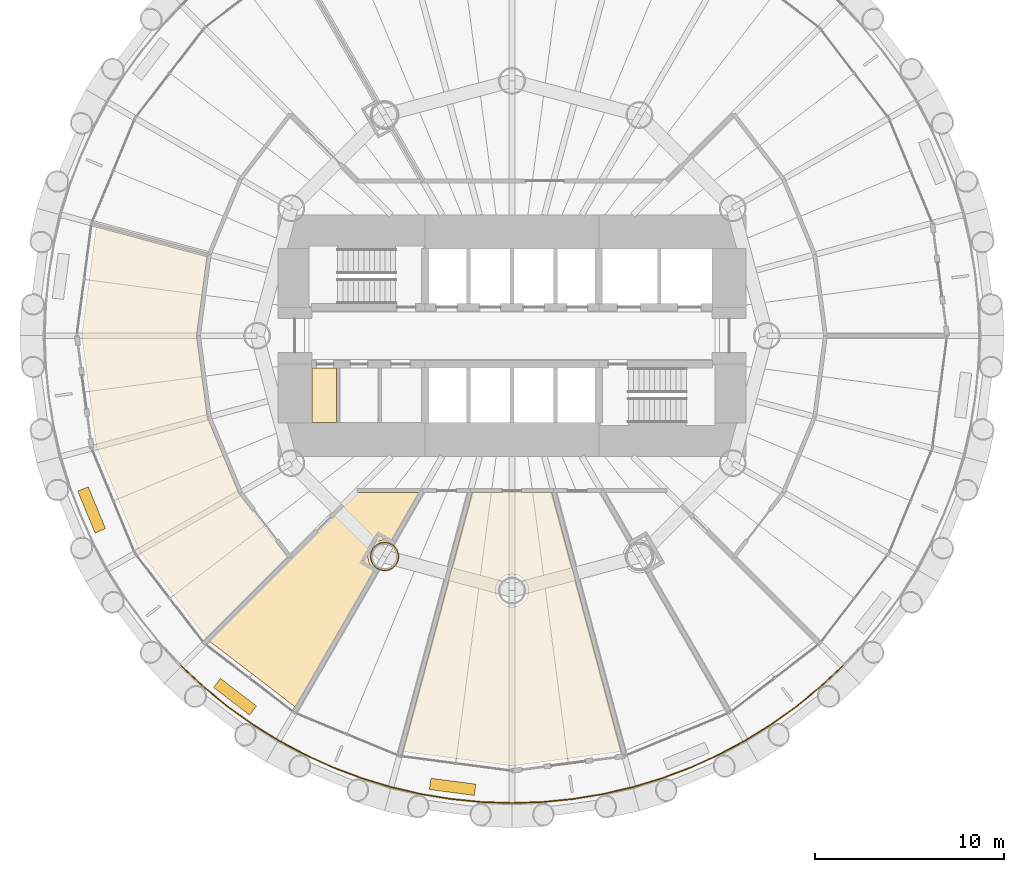
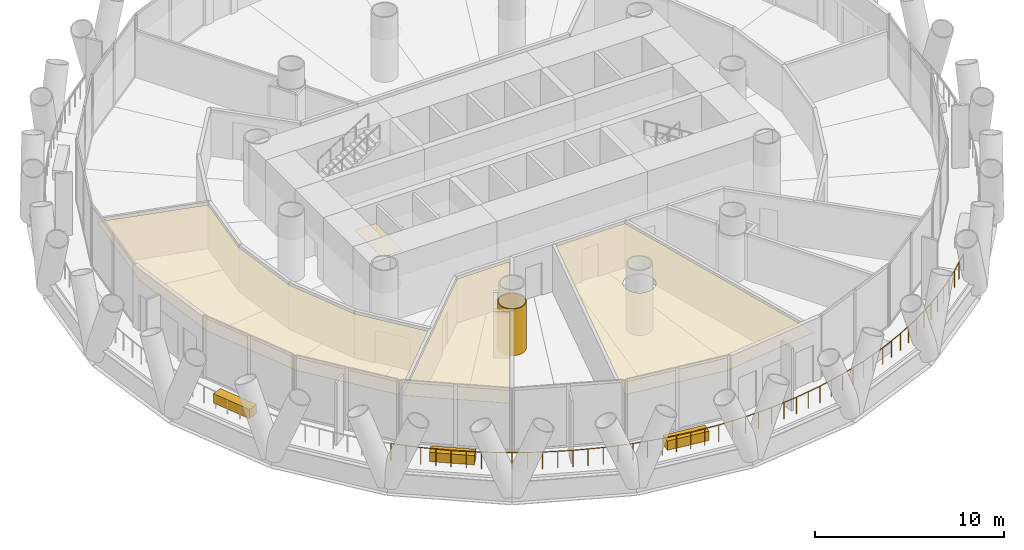
# One storey, part 11 of 14: 8 coverings, 1 railing.
"""IFC4 building model written with IfcOpenShell, lengths in metres."""

from ifc_helpers import new_model, si_unit, direction, frame, origin, origin_2d, place, context, subcontext, project, spatial, polyline, rectangle, circle, outline, extrude, material, layer, layer_set, type_object, element, save


model = new_model("IFC4")

# Units and contexts
model_context = context("Model", 3, precision=1e-05, world=origin(), true_north=direction((0.0, 1.0)))
body_context = subcontext(model_context, "Body", "Model", "MODEL_VIEW")
ifc_project = project(units=[si_unit("LENGTHUNIT", "METRE"), si_unit("AREAUNIT", "SQUARE_METRE"), si_unit("VOLUMEUNIT", "CUBIC_METRE"), si_unit("PLANEANGLEUNIT", "RADIAN"), si_unit("MASSUNIT", "GRAM", prefix="KILO")], contexts=[model_context])

# Site, building, storey
site_placement = place(None, origin())
site = spatial("IfcSite", under=ifc_project, at=site_placement, CompositionType="ELEMENT")
building_placement = place(site_placement, origin())
building = spatial("IfcBuilding", under=site, at=building_placement, Name="Qaws Media Tower", CompositionType="ELEMENT")
storey_placement = place(building_placement, frame((0.0, 0.0, 93.199951171875)))
storey = spatial("IfcBuildingStorey", under=building, at=storey_placement, Name="L20", CompositionType="ELEMENT", Elevation=93.199951171875)

# Railing
ifc_material_1 = material(Name="Stainless steel and glass guard", Category="steel")
railing_type = type_object("IfcRailingType", Name="Balcony guard 1100", PredefinedType="GUARDRAIL", material=ifc_material_1)
railing_placement = place(storey_placement, frame((42.4990234375, 32.4990234375, 0.0)))
element("IfcRailing", 1, at=railing_placement, inside=storey, type_object=railing_type, Name="GR1 balcony guard L20-3", PredefinedType="GUARDRAIL", context=body_context, shape_type="SweptSolid", body=[
    extrude(circle(Radius=0.02392578125, at=origin_2d()), frame((0.0, 0.0, 1.076171875), z_axis=(0.729866170297, -0.683590062432, 0.0), x_axis=(0.683590062432, 0.729866170297, 0.0)), (0.0, 0.0, 1.0), 1.61962890625),
    extrude(circle(Radius=0.02392578125, at=origin_2d()), frame((1.18212890625, -1.107177734375, 1.076171875), z_axis=(0.773043042014, -0.634353572698, 0.0), x_axis=(0.634353572698, 0.773043042014, 0.0)), (0.0, 0.0, 1.0), 1.61962890625),
    extrude(circle(Radius=0.02392578125, at=origin_2d()), frame((2.43408203125, -2.134521484375, 1.076171875), z_axis=(0.812887300094, -0.582421013826, 0.0), x_axis=(0.582421013826, 0.812887300094, 0.0)), (0.0, 0.0, 1.0), 1.61962890625),
    extrude(circle(Radius=0.02392578125, at=origin_2d()), frame((3.750732421875, -3.077880859375, 1.076171875), z_axis=(0.849190316648, -0.528086930449, 0.0), x_axis=(0.528086930449, 0.849190316648, 0.0)), (0.0, 0.0, 1.0), 1.619384765625),
    extrude(circle(Radius=0.02392578125, at=origin_2d()), frame((5.1259765625, -3.93310546875, 1.076171875), z_axis=(0.881947874294, -0.471346949738, 0.0), x_axis=(0.471346949738, 0.881947874294, 0.0)), (0.0, 0.0, 1.0), 1.61962890625),
    extrude(circle(Radius=0.02392578125, at=origin_2d()), frame((6.554443359375, -4.696533203125, 1.076171875), z_axis=(0.910840848393, -0.412757736329, 0.0), x_axis=(0.412757736329, 0.910840848393, 0.0)), (0.0, 0.0, 1.0), 1.619384765625),
    extrude(circle(Radius=0.02392578125, at=origin_2d()), frame((8.029541015625, -5.364990234375, 1.076171875), z_axis=(0.935901062927, -0.352262970537, 0.0), x_axis=(0.352262970537, 0.935901062927, 0.0)), (0.0, 0.0, 1.0), 1.61962890625),
    extrude(circle(Radius=0.02392578125, at=origin_2d()), frame((9.54541015625, -5.935546875, 1.076171875), z_axis=(0.956925458438, -0.290333716596, 0.0), x_axis=(0.290333716596, 0.956925458438, 0.0)), (0.0, 0.0, 1.0), 1.61962890625),
    extrude(circle(Radius=0.02392578125, at=origin_2d()), frame((11.09521484375, -6.40576171875, 1.076171875), z_axis=(0.973893440618, -0.227005652619, 0.0), x_axis=(0.227005652619, 0.973893440618, 0.0)), (0.0, 0.0, 1.0), 1.61962890625),
    extrude(circle(Radius=0.02392578125, at=origin_2d()), frame((12.672607421875, -6.7734375, 1.076171875), z_axis=(0.986633248331, -0.162956538036, 0.0), x_axis=(0.162956538036, 0.986633248331, 0.0)), (0.0, 0.0, 1.0), 1.61962890625),
    extrude(circle(Radius=0.02392578125, at=origin_2d()), frame((14.2705078125, -7.037353515625, 1.076171875), z_axis=(0.995188258587, -0.097981273566, 0.0), x_axis=(0.097981273566, 0.995188258587, 0.0)), (0.0, 0.0, 1.0), 1.61962890625),
    extrude(circle(Radius=0.02392578125, at=origin_2d()), frame((15.88232421875, -7.196044921875, 1.076171875), z_axis=(0.999464803017, -0.032712498078, 0.0), x_axis=(0.032712498078, 0.999464803017, 0.0)), (0.0, 0.0, 1.0), 1.61962890625),
    extrude(circle(Radius=0.02392578125, at=origin_2d()), frame((17.5009765625, -7.2490234375, 1.076171875), z_axis=(0.999464803017, 0.032712498078, 0.0), x_axis=(-0.032712498078, 0.999464803017, 0.0)), (0.0, 0.0, 1.0), 1.61962890625),
    extrude(circle(Radius=0.02392578125, at=origin_2d()), frame((19.11962890625, -7.196044921875, 1.076171875), z_axis=(0.995188258587, 0.097981273566, 0.0), x_axis=(-0.097981273566, 0.995188258587, 0.0)), (0.0, 0.0, 1.0), 1.61962890625),
    extrude(circle(Radius=0.02392578125, at=origin_2d()), frame((20.7314453125, -7.037353515625, 1.076171875), z_axis=(0.986633248331, 0.162956538036, 0.0), x_axis=(-0.162956538036, 0.986633248331, 0.0)), (0.0, 0.0, 1.0), 1.61962890625),
    extrude(circle(Radius=0.02392578125, at=origin_2d()), frame((22.329345703125, -6.7734375, 1.076171875), z_axis=(0.973893440618, 0.227005652619, 0.0), x_axis=(-0.227005652619, 0.973893440618, 0.0)), (0.0, 0.0, 1.0), 1.61962890625),
    extrude(circle(Radius=0.02392578125, at=origin_2d()), frame((23.90673828125, -6.40576171875, 1.076171875), z_axis=(0.956925458438, 0.290333716596, 0.0), x_axis=(-0.290333716596, 0.956925458438, 0.0)), (0.0, 0.0, 1.0), 1.61962890625),
    extrude(circle(Radius=0.02392578125, at=origin_2d()), frame((25.45654296875, -5.935546875, 1.076171875), z_axis=(0.935901062927, 0.352262970537, 0.0), x_axis=(-0.352262970537, 0.935901062927, 0.0)), (0.0, 0.0, 1.0), 1.61962890625),
    extrude(circle(Radius=0.02392578125, at=origin_2d()), frame((26.972412109375, -5.364990234375, 1.076171875), z_axis=(0.910840848393, 0.412757736329, 0.0), x_axis=(-0.412757736329, 0.910840848393, 0.0)), (0.0, 0.0, 1.0), 1.619384765625),
    extrude(circle(Radius=0.02392578125, at=origin_2d()), frame((28.447509765625, -4.696533203125, 1.076171875), z_axis=(0.881947874294, 0.471346949738, 0.0), x_axis=(-0.471346949738, 0.881947874294, 0.0)), (0.0, 0.0, 1.0), 1.61962890625),
    extrude(circle(Radius=0.02392578125, at=origin_2d()), frame((29.8759765625, -3.93310546875, 1.076171875), z_axis=(0.849190316648, 0.528086930449, 0.0), x_axis=(-0.528086930449, 0.849190316648, 0.0)), (0.0, 0.0, 1.0), 1.619384765625),
    extrude(circle(Radius=0.02392578125, at=origin_2d()), frame((31.251220703125, -3.077880859375, 1.076171875), z_axis=(0.812887300094, 0.582421013826, 0.0), x_axis=(-0.582421013826, 0.812887300094, 0.0)), (0.0, 0.0, 1.0), 1.61962890625),
    extrude(circle(Radius=0.02392578125, at=origin_2d()), frame((32.56787109375, -2.134521484375, 1.076171875), z_axis=(0.773043042014, 0.634353572698, 0.0), x_axis=(-0.634353572698, 0.773043042014, 0.0)), (0.0, 0.0, 1.0), 1.61962890625),
    extrude(circle(Radius=0.02392578125, at=origin_2d()), frame((33.81982421875, -1.107177734375, 1.076171875), z_axis=(0.729866170297, 0.683590062432, 0.0), x_axis=(-0.683590062432, 0.729866170297, 0.0)), (0.0, 0.0, 1.0), 1.61962890625),
    extrude(circle(Radius=0.02099609375, at=origin_2d()), origin(), (0.0, 0.0, 1.0), 1.052001953125),
    extrude(circle(Radius=0.02099609375, at=origin_2d()), frame((0.591064453125, -0.5537109375, 0.0)), (0.0, 0.0, 1.0), 1.052001953125),
    extrude(circle(Radius=0.02099609375, at=origin_2d()), frame((1.18212890625, -1.107177734375, 0.0)), (0.0, 0.0, 1.0), 1.052001953125),
    extrude(circle(Radius=0.02099609375, at=origin_2d()), frame((1.80810546875, -1.620849609375, 0.0)), (0.0, 0.0, 1.0), 1.052001953125),
    extrude(circle(Radius=0.02099609375, at=origin_2d()), frame((2.43408203125, -2.134521484375, 0.0)), (0.0, 0.0, 1.0), 1.052001953125),
    extrude(circle(Radius=0.02099609375, at=origin_2d()), frame((3.09228515625, -2.606201171875, 0.0)), (0.0, 0.0, 1.0), 1.052001953125),
    extrude(circle(Radius=0.02099609375, at=origin_2d()), frame((3.750732421875, -3.077880859375, 0.0)), (0.0, 0.0, 1.0), 1.052001953125),
    extrude(circle(Radius=0.02099609375, at=origin_2d()), frame((4.4384765625, -3.50537109375, 0.0)), (0.0, 0.0, 1.0), 1.052001953125),
    extrude(circle(Radius=0.02099609375, at=origin_2d()), frame((5.1259765625, -3.93310546875, 0.0)), (0.0, 0.0, 1.0), 1.052001953125),
    extrude(circle(Radius=0.02099609375, at=origin_2d()), frame((5.84033203125, -4.31494140625, 0.0)), (0.0, 0.0, 1.0), 1.052001953125),
    extrude(circle(Radius=0.02099609375, at=origin_2d()), frame((6.554443359375, -4.696533203125, 0.0)), (0.0, 0.0, 1.0), 1.052001953125),
    extrude(circle(Radius=0.02099609375, at=origin_2d()), frame((7.2919921875, -5.03076171875, 0.0)), (0.0, 0.0, 1.0), 1.052001953125),
    extrude(circle(Radius=0.02099609375, at=origin_2d()), frame((8.029541015625, -5.364990234375, 0.0)), (0.0, 0.0, 1.0), 1.052001953125),
    extrude(circle(Radius=0.02099609375, at=origin_2d()), frame((8.78759765625, -5.650390625, 0.0)), (0.0, 0.0, 1.0), 1.052001953125),
    extrude(circle(Radius=0.02099609375, at=origin_2d()), frame((9.54541015625, -5.935546875, 0.0)), (0.0, 0.0, 1.0), 1.052001953125),
    extrude(circle(Radius=0.02099609375, at=origin_2d()), frame((10.3203125, -6.170654296875, 0.0)), (0.0, 0.0, 1.0), 1.052001953125),
    extrude(circle(Radius=0.02099609375, at=origin_2d()), frame((11.09521484375, -6.40576171875, 0.0)), (0.0, 0.0, 1.0), 1.052001953125),
    extrude(circle(Radius=0.02099609375, at=origin_2d()), frame((11.8837890625, -6.589599609375, 0.0)), (0.0, 0.0, 1.0), 1.052001953125),
    extrude(circle(Radius=0.02099609375, at=origin_2d()), frame((12.672607421875, -6.7734375, 0.0)), (0.0, 0.0, 1.0), 1.052001953125),
    extrude(circle(Radius=0.02099609375, at=origin_2d()), frame((13.4716796875, -6.9052734375, 0.0)), (0.0, 0.0, 1.0), 1.052001953125),
    extrude(circle(Radius=0.02099609375, at=origin_2d()), frame((14.2705078125, -7.037353515625, 0.0)), (0.0, 0.0, 1.0), 1.052001953125),
    extrude(circle(Radius=0.02099609375, at=origin_2d()), frame((15.076416015625, -7.11669921875, 0.0)), (0.0, 0.0, 1.0), 1.052001953125),
    extrude(circle(Radius=0.02099609375, at=origin_2d()), frame((15.88232421875, -7.196044921875, 0.0)), (0.0, 0.0, 1.0), 1.052001953125),
    extrude(circle(Radius=0.02099609375, at=origin_2d()), frame((16.691650390625, -7.22265625, 0.0)), (0.0, 0.0, 1.0), 1.052001953125),
    extrude(circle(Radius=0.02099609375, at=origin_2d()), frame((17.5009765625, -7.2490234375, 0.0)), (0.0, 0.0, 1.0), 1.052001953125),
    extrude(circle(Radius=0.02099609375, at=origin_2d()), frame((18.310302734375, -7.22265625, 0.0)), (0.0, 0.0, 1.0), 1.052001953125),
    extrude(circle(Radius=0.02099609375, at=origin_2d()), frame((19.11962890625, -7.196044921875, 0.0)), (0.0, 0.0, 1.0), 1.052001953125),
    extrude(circle(Radius=0.02099609375, at=origin_2d()), frame((19.925537109375, -7.11669921875, 0.0)), (0.0, 0.0, 1.0), 1.052001953125),
    extrude(circle(Radius=0.02099609375, at=origin_2d()), frame((20.7314453125, -7.037353515625, 0.0)), (0.0, 0.0, 1.0), 1.052001953125),
    extrude(circle(Radius=0.02099609375, at=origin_2d()), frame((21.5302734375, -6.9052734375, 0.0)), (0.0, 0.0, 1.0), 1.052001953125),
    extrude(circle(Radius=0.02099609375, at=origin_2d()), frame((22.329345703125, -6.7734375, 0.0)), (0.0, 0.0, 1.0), 1.052001953125),
    extrude(circle(Radius=0.02099609375, at=origin_2d()), frame((23.1181640625, -6.589599609375, 0.0)), (0.0, 0.0, 1.0), 1.052001953125),
    extrude(circle(Radius=0.02099609375, at=origin_2d()), frame((23.90673828125, -6.40576171875, 0.0)), (0.0, 0.0, 1.0), 1.052001953125),
    extrude(circle(Radius=0.02099609375, at=origin_2d()), frame((24.681640625, -6.170654296875, 0.0)), (0.0, 0.0, 1.0), 1.052001953125),
    extrude(circle(Radius=0.02099609375, at=origin_2d()), frame((25.45654296875, -5.935546875, 0.0)), (0.0, 0.0, 1.0), 1.052001953125),
    extrude(circle(Radius=0.02099609375, at=origin_2d()), frame((26.21435546875, -5.650390625, 0.0)), (0.0, 0.0, 1.0), 1.052001953125),
    extrude(circle(Radius=0.02099609375, at=origin_2d()), frame((26.972412109375, -5.364990234375, 0.0)), (0.0, 0.0, 1.0), 1.052001953125),
    extrude(circle(Radius=0.02099609375, at=origin_2d()), frame((27.7099609375, -5.03076171875, 0.0)), (0.0, 0.0, 1.0), 1.052001953125),
    extrude(circle(Radius=0.02099609375, at=origin_2d()), frame((28.447509765625, -4.696533203125, 0.0)), (0.0, 0.0, 1.0), 1.052001953125),
    extrude(circle(Radius=0.02099609375, at=origin_2d()), frame((29.16162109375, -4.31494140625, 0.0)), (0.0, 0.0, 1.0), 1.052001953125),
    extrude(circle(Radius=0.02099609375, at=origin_2d()), frame((29.8759765625, -3.93310546875, 0.0)), (0.0, 0.0, 1.0), 1.052001953125),
    extrude(circle(Radius=0.02099609375, at=origin_2d()), frame((30.5634765625, -3.50537109375, 0.0)), (0.0, 0.0, 1.0), 1.052001953125),
    extrude(circle(Radius=0.02099609375, at=origin_2d()), frame((31.251220703125, -3.077880859375, 0.0)), (0.0, 0.0, 1.0), 1.052001953125),
    extrude(circle(Radius=0.02099609375, at=origin_2d()), frame((31.90966796875, -2.606201171875, 0.0)), (0.0, 0.0, 1.0), 1.052001953125),
    extrude(circle(Radius=0.02099609375, at=origin_2d()), frame((32.56787109375, -2.134521484375, 0.0)), (0.0, 0.0, 1.0), 1.052001953125),
    extrude(circle(Radius=0.02099609375, at=origin_2d()), frame((33.19384765625, -1.620849609375, 0.0)), (0.0, 0.0, 1.0), 1.052001953125),
    extrude(circle(Radius=0.02099609375, at=origin_2d()), frame((33.81982421875, -1.107177734375, 0.0)), (0.0, 0.0, 1.0), 1.052001953125),
    extrude(circle(Radius=0.02099609375, at=origin_2d()), frame((34.410888671875, -0.5537109375, 0.0)), (0.0, 0.0, 1.0), 1.052001953125),
    extrude(circle(Radius=0.02099609375, at=origin_2d()), frame((35.001953125, 0.0, 0.0)), (0.0, 0.0, 1.0), 1.052001953125),
])

# Coverings
ifc_material_2 = material(Name="Two layers 15 fire-rated gypsum board on steel framing", Category="steel")
ifc_layer_1 = layer(ifc_material_2, 0.050048828125)
ifc_layer_set_1 = layer_set([ifc_layer_1], Name="Column fire casing")
covering_type_1 = type_object("IfcCoveringType", Name="Column fire casing", PredefinedType="CLADDING", material=ifc_layer_set_1)
covering_1_placement = place(storey_placement, origin())
element("IfcCovering", 2, at=covering_1_placement, inside=storey, type_object=covering_type_1, Name="CC1 column casing L20", PredefinedType="CLADDING", context=body_context, shape_type="SweptSolid", body=[
    extrude(outline(polyline([(54.01611328125, 38.30859375), (54.009521484375, 38.208740234375), (53.989990234375, 38.1103515625), (53.957763671875, 38.015380859375), (53.913330078125, 37.92578125), (53.857666015625, 37.84228515625), (53.79150390625, 37.76708984375), (53.71630859375, 37.700927734375), (53.633056640625, 37.645263671875), (53.543212890625, 37.60107421875), (53.4482421875, 37.56884765625), (53.35009765625, 37.54931640625), (53.25, 37.542724609375), (53.14990234375, 37.54931640625), (53.0517578125, 37.56884765625), (52.956787109375, 37.60107421875), (52.866943359375, 37.645263671875), (52.78369140625, 37.700927734375), (52.70849609375, 37.76708984375), (52.642333984375, 37.84228515625), (52.586669921875, 37.92578125), (52.542236328125, 38.015380859375), (52.510009765625, 38.1103515625), (52.490478515625, 38.208740234375), (52.48388671875, 38.30859375), (52.490478515625, 38.40869140625), (52.510009765625, 38.5068359375), (52.542236328125, 38.601806640625), (52.586669921875, 38.691650390625), (52.642333984375, 38.77490234375), (52.70849609375, 38.850341796875), (52.78369140625, 38.91650390625), (52.866943359375, 38.971923828125), (52.956787109375, 39.016357421875), (53.0517578125, 39.048583984375), (53.14990234375, 39.068115234375), (53.25, 39.07470703125), (53.35009765625, 39.068115234375), (53.4482421875, 39.048583984375), (53.543212890625, 39.016357421875), (53.633056640625, 38.971923828125), (53.71630859375, 38.91650390625), (53.79150390625, 38.850341796875), (53.857666015625, 38.77490234375), (53.913330078125, 38.691650390625), (53.957763671875, 38.601806640625), (53.989990234375, 38.5068359375), (54.009521484375, 38.40869140625), (54.01611328125, 38.30859375)]), holes=[polyline([(53.964111328125, 38.30859375), (53.9580078125, 38.215576171875), (53.939697265625, 38.123779296875), (53.90966796875, 38.035400390625), (53.868408203125, 37.95166015625), (53.81640625, 37.8740234375), (53.7548828125, 37.8037109375), (53.684814453125, 37.7421875), (53.60693359375, 37.690185546875), (53.523193359375, 37.64892578125), (53.434814453125, 37.618896484375), (53.34326171875, 37.600830078125), (53.25, 37.5947265625), (53.15673828125, 37.600830078125), (53.065185546875, 37.618896484375), (52.976806640625, 37.64892578125), (52.89306640625, 37.690185546875), (52.815185546875, 37.7421875), (52.7451171875, 37.8037109375), (52.68359375, 37.8740234375), (52.631591796875, 37.95166015625), (52.59033203125, 38.035400390625), (52.560302734375, 38.123779296875), (52.5419921875, 38.215576171875), (52.535888671875, 38.30859375), (52.5419921875, 38.40185546875), (52.560302734375, 38.493408203125), (52.59033203125, 38.581787109375), (52.631591796875, 38.665771484375), (52.68359375, 38.743408203125), (52.7451171875, 38.8134765625), (52.815185546875, 38.875), (52.89306640625, 38.927001953125), (52.976806640625, 38.96826171875), (53.065185546875, 38.998291015625), (53.15673828125, 39.0166015625), (53.25, 39.022705078125), (53.34326171875, 39.0166015625), (53.434814453125, 38.998291015625), (53.523193359375, 38.96826171875), (53.60693359375, 38.927001953125), (53.684814453125, 38.875), (53.7548828125, 38.8134765625), (53.81640625, 38.743408203125), (53.868408203125, 38.665771484375), (53.90966796875, 38.581787109375), (53.939697265625, 38.493408203125), (53.9580078125, 38.40185546875), (53.964111328125, 38.30859375)])]), origin(), (0.0, 0.0, 1.0), 3.02001953125),
])
ifc_material_3 = material(Name="600 x 600 mineral fibre tiles in exposed grid, suspended", Category="mineral fibre")
ifc_layer_2 = layer(ifc_material_3, 0.02001953125)
ifc_layer_set_2 = layer_set([ifc_layer_2], Name="Mineral fibre tile ceiling 20")
covering_type_2 = type_object("IfcCoveringType", Name="Mineral fibre tile ceiling 20", PredefinedType="CEILING", material=ifc_layer_set_2)
covering_2_placement = place(storey_placement, frame((0.0, 0.0, 2.85009765625)))
element("IfcCovering", 3, at=covering_2_placement, inside=storey, type_object=covering_type_2, Name="CL1 ceiling L20-05 Server room", PredefinedType="CEILING", context=body_context, shape_type="SweptSolid", body=[
    extrude(outline(polyline([(43.978515625, 33.8193359375), (51.8466796875, 41.6875), (55.07080078125, 41.6875), (53.58447265625, 39.11279296875), (53.475341796875, 39.14990234375), (53.36376953125, 39.172119140625), (53.25, 39.1796875), (53.13623046875, 39.172119140625), (53.024658203125, 39.14990234375), (52.916748046875, 39.11328125), (52.814453125, 39.06298828125), (52.7197265625, 38.999755859375), (52.634033203125, 38.924560546875), (52.55908203125, 38.8388671875), (52.49560546875, 38.744140625), (52.4453125, 38.64208984375), (52.40869140625, 38.5341796875), (52.386474609375, 38.42236328125), (52.37890625, 38.30859375), (52.386474609375, 38.195068359375), (52.40869140625, 38.083251953125), (52.4453125, 37.975341796875), (52.49560546875, 37.873291015625), (52.55908203125, 37.7783203125), (52.634033203125, 37.69287109375), (52.720703125, 37.616943359375), (48.517333984375, 30.33642578125), (43.978515625, 33.8193359375)])), origin(), (0.0, 0.0, 1.0), 0.02001953125),
])
covering_3_placement = place(storey_placement, frame((0.0, 0.0, 2.85009765625)))
element("IfcCovering", 4, at=covering_3_placement, inside=storey, type_object=covering_type_2, Name="CL1 ceiling L20-C04 Cleaner's room", PredefinedType="CEILING", context=body_context, shape_type="SweptSolid", body=[
    extrude(outline(polyline([(49.39990234375, 45.39990234375), (49.39990234375, 48.300048828125), (50.699951171875, 48.300048828125), (50.699951171875, 45.39990234375), (49.39990234375, 45.39990234375)])), origin(), (0.0, 0.0, 1.0), 0.02001953125),
])
ifc_material_4 = material(Name="Precast concrete planter with trailing planting", Category="concrete")
ifc_layer_3 = layer(ifc_material_4, 0.60009765625)
ifc_layer_set_3 = layer_set([ifc_layer_3], Name="Planter 2400x600")
covering_type_3 = type_object("IfcCoveringType", Name="Planter 2400x600", PredefinedType="USERDEFINED", material=ifc_layer_set_3)
for number, where, z_axis, x_axis, name in (
    (5, (37.734619140625, 40.77734375, 0.0), (0.0, 0.0, 1.0), (0.382683432365, -0.923879532511, 0.0), "PL1 balcony planter L20-07"),
    (6, (45.328857421875, 30.880126953125, 0.0), (0.0, 0.0, 1.0), (0.793353340291, -0.608761429009, 0.0), "PL1 balcony planter L20-08"),
    (7, (56.854248046875, 26.106201171875, 0.0), (0.0, 0.0, 1.0), (0.991444861374, -0.13052619222, 0.0), "PL1 balcony planter L20-09"),
):
    element("IfcCovering", number, at=place(storey_placement, frame(where, z_axis=z_axis, x_axis=x_axis)), inside=storey, type_object=covering_type_3, Name=name, ObjectType="PLANTER", PredefinedType="USERDEFINED", context=body_context, shape_type="SweptSolid", body=[
        extrude(rectangle(XDim=2.39990234375, YDim=0.60009765625, at=origin_2d()), origin(), (0.0, 0.0, 1.0), 0.60009765625),
    ])
ifc_material_5 = material(Name="Two layers 12.5 moisture-resistant plasterboard on suspended metal furring", Category="gypsum")
ifc_layer_4 = layer(ifc_material_5, 0.02490234375)
ifc_layer_set_4 = layer_set([ifc_layer_4], Name="Plasterboard ceiling 25")
covering_type_4 = type_object("IfcCoveringType", Name="Plasterboard ceiling 25", PredefinedType="CEILING", material=ifc_layer_set_4)
covering_4_placement = place(storey_placement, frame((0.0, 0.0, 2.85009765625)))
element("IfcCovering", 8, at=covering_4_placement, inside=storey, type_object=covering_type_4, Name="CL2 ceiling L20-04 Media asset management office", PredefinedType="CEILING", context=body_context, shape_type="SweptSolid", body=[
    extrude(outline(polyline([(40.267333984375, 38.607421875), (37.9912109375, 44.102783203125), (37.21484375, 50.0), (37.976318359375, 55.784912109375), (43.84130859375, 54.21337890625), (43.28662109375, 50.0), (43.85595703125, 45.67431640625), (45.525634765625, 41.643310546875), (48.11279296875, 38.271728515625), (43.8193359375, 33.978515625), (40.267333984375, 38.607421875)])), origin(), (0.0, 0.0, 1.0), 0.02490234375),
])
covering_5_placement = place(storey_placement, frame((0.0, 0.0, 2.85009765625)))
element("IfcCovering", 9, at=covering_5_placement, inside=storey, type_object=covering_type_4, Name="CL2 ceiling L20-07 Media library", PredefinedType="CEILING", context=body_context, shape_type="SweptSolid", body=[
    extrude(outline(polyline([(60.0, 27.21484375), (54.215087890625, 27.976318359375), (57.88916015625, 41.6875), (62.11083984375, 41.6875), (65.784912109375, 27.976318359375), (60.0, 27.21484375)]), holes=[polyline([(60.84130859375, 36.274658203125), (60.863525390625, 36.38623046875), (60.87109375, 36.5), (60.863525390625, 36.61376953125), (60.84130859375, 36.725341796875), (60.8046875, 36.833251953125), (60.75439453125, 36.935546875), (60.69091796875, 37.0302734375), (60.615966796875, 37.115966796875), (60.5302734375, 37.19091796875), (60.435546875, 37.25439453125), (60.333251953125, 37.3046875), (60.225341796875, 37.34130859375), (60.11376953125, 37.363525390625), (60.0, 37.37109375), (59.88623046875, 37.363525390625), (59.774658203125, 37.34130859375), (59.666748046875, 37.3046875), (59.564453125, 37.25439453125), (59.4697265625, 37.19091796875), (59.384033203125, 37.115966796875), (59.30908203125, 37.0302734375), (59.24560546875, 36.935546875), (59.1953125, 36.833251953125), (59.15869140625, 36.725341796875), (59.136474609375, 36.61376953125), (59.12890625, 36.5), (59.136474609375, 36.38623046875), (59.15869140625, 36.274658203125), (59.1953125, 36.166748046875), (59.24560546875, 36.064453125), (59.30908203125, 35.9697265625), (59.384033203125, 35.884033203125), (59.4697265625, 35.80908203125), (59.564453125, 35.74560546875), (59.666748046875, 35.6953125), (59.774658203125, 35.65869140625), (59.88623046875, 35.636474609375), (60.0, 35.62890625), (60.11376953125, 35.636474609375), (60.225341796875, 35.65869140625), (60.333251953125, 35.6953125), (60.435546875, 35.74560546875), (60.5302734375, 35.80908203125), (60.615966796875, 35.884033203125), (60.69091796875, 35.9697265625), (60.75439453125, 36.064453125), (60.8046875, 36.166748046875), (60.84130859375, 36.274658203125)])]), origin(), (0.0, 0.0, 1.0), 0.02490234375),
])

save(model, "model.ifc")
